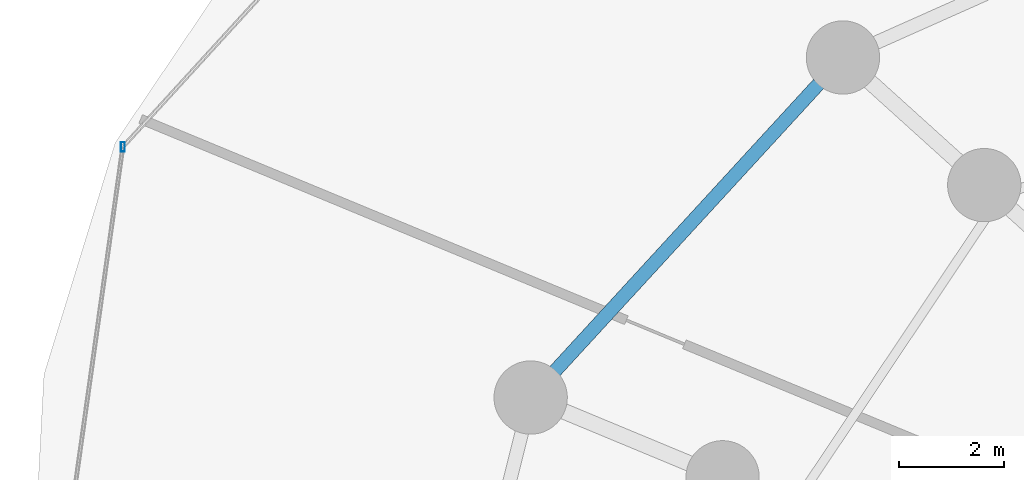
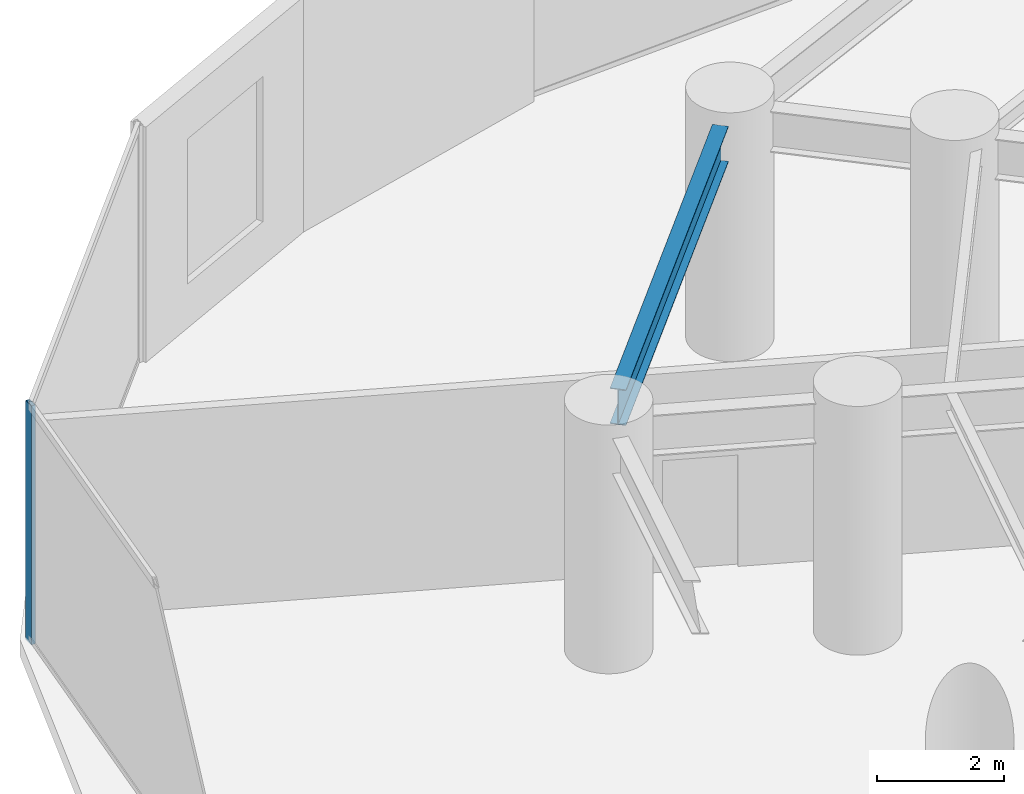
# One storey, part 14 of 32: 1 beam, 1 member, 1 element without a shape of its own.
"""IFC4 building model written with IfcOpenShell, lengths in metres."""

from ifc_helpers import new_model, si_unit, direction, frame, origin, origin_2d, place, context, subcontext, project, spatial, hollow_rectangle, i_section, extrude, material, material_profile, profile_set, type_object, element, aggregate, save


model = new_model("IFC4")

# Units and contexts
model_context = context("Model", 3, precision=1e-05, world=origin(), true_north=direction((0.0, 1.0)))
body_context = subcontext(model_context, "Body", "Model", "MODEL_VIEW")
ifc_project = project(units=[si_unit("LENGTHUNIT", "METRE"), si_unit("AREAUNIT", "SQUARE_METRE"), si_unit("VOLUMEUNIT", "CUBIC_METRE"), si_unit("PLANEANGLEUNIT", "RADIAN"), si_unit("MASSUNIT", "GRAM", prefix="KILO")], contexts=[model_context])

# Site, building, storey
site_placement = place(None, origin())
site = spatial("IfcSite", under=ifc_project, at=site_placement, CompositionType="ELEMENT")
building_placement = place(site_placement, origin())
building = spatial("IfcBuilding", under=site, at=building_placement, Name="Vorneva Point Tower", CompositionType="ELEMENT")
storey_placement = place(building_placement, frame((0.0, 0.0, 19.199951171875)))
storey = spatial("IfcBuildingStorey", under=building, at=storey_placement, Name="L04", CompositionType="ELEMENT", Elevation=19.199951171875)

# Beam
ifc_material_1 = material(Name="Steel S355", Category="steel")
ifc_material_profile_1 = material_profile(ifc_material_1, i_section(OverallWidth=0.260009765625, OverallDepth=0.69091796875, WebThickness=0.011962890625, FlangeThickness=0.015380859375, at=origin_2d()), Name="70B1")
ifc_profile_set_1 = profile_set([ifc_material_profile_1], Name="Steel S355")
beam_type = type_object("IfcBeamType", Name="BM-SPN-70B1", PredefinedType="SPANDREL", material=ifc_profile_set_1)
beam_placement = place(storey_placement, frame((18.539306640625, 40.09521484375, 4.194580078125), z_axis=(-0.676370155457, -0.73656188661, 0.0), x_axis=(0.73656188661, -0.676370155457, 0.0)))
element("IfcBeam", 1, at=beam_placement, inside=storey, type_object=beam_type, Name="L04 Perimeter Spandrel Ring Beam 07", PredefinedType="SPANDREL", context=body_context, shape_type="SweptSolid", body=[
    extrude(i_section(OverallWidth=0.260009765625, OverallDepth=0.69091796875, WebThickness=0.011962890625, FlangeThickness=0.015380859375, at=origin_2d()), origin(), (0.0, 0.0, 1.0), 7.447021484375),
])

# Curtain wall, member
ifc_material_2 = material(Name="Pale anodised aluminium", Category="aluminium")
curtain_wall_type = type_object("IfcCurtainWallType", Name="CW-POD-SYS", PredefinedType="NOTDEFINED", material=ifc_material_2)
curtain_wall_placement = place(storey_placement, origin())
curtain_wall = element("IfcCurtainWall", 2, at=curtain_wall_placement, inside=storey, type_object=curtain_wall_type, Name="L04 Unitised Curtain Wall CW-L04-R03", PredefinedType="NOTDEFINED")
ifc_material_profile_2 = material_profile(ifc_material_2, hollow_rectangle(XDim=0.074951171875, YDim=0.179931640625, WallThickness=0.00390625, at=origin_2d()), Name="AL-MUL 180x75x4")
ifc_profile_set_2 = profile_set([ifc_material_profile_2], Name="Pale anodised aluminium")
member_type = type_object("IfcMemberType", Name="CW-MUL-180", PredefinedType="MULLION", material=ifc_profile_set_2)
member_placement = place(storey_placement, frame((5.250244140625, 38.890869140625, -0.0400390625), z_axis=(0.0, 0.0, 1.0), x_axis=(1.0, 0.0, 0.0)))
member = element("IfcMember", 3, at=member_placement, type_object=member_type, Name="CW-L04-R03 Mullion 02", PredefinedType="MULLION", context=body_context, shape_type="SweptSolid", body=[
    extrude(hollow_rectangle(XDim=0.074951171875, YDim=0.179931640625, WallThickness=0.00390625, at=origin_2d()), origin(), (0.0, 0.0, 1.0), 4.610107421875),
])
aggregate(curtain_wall, [member])

save(model, "model.ifc")
